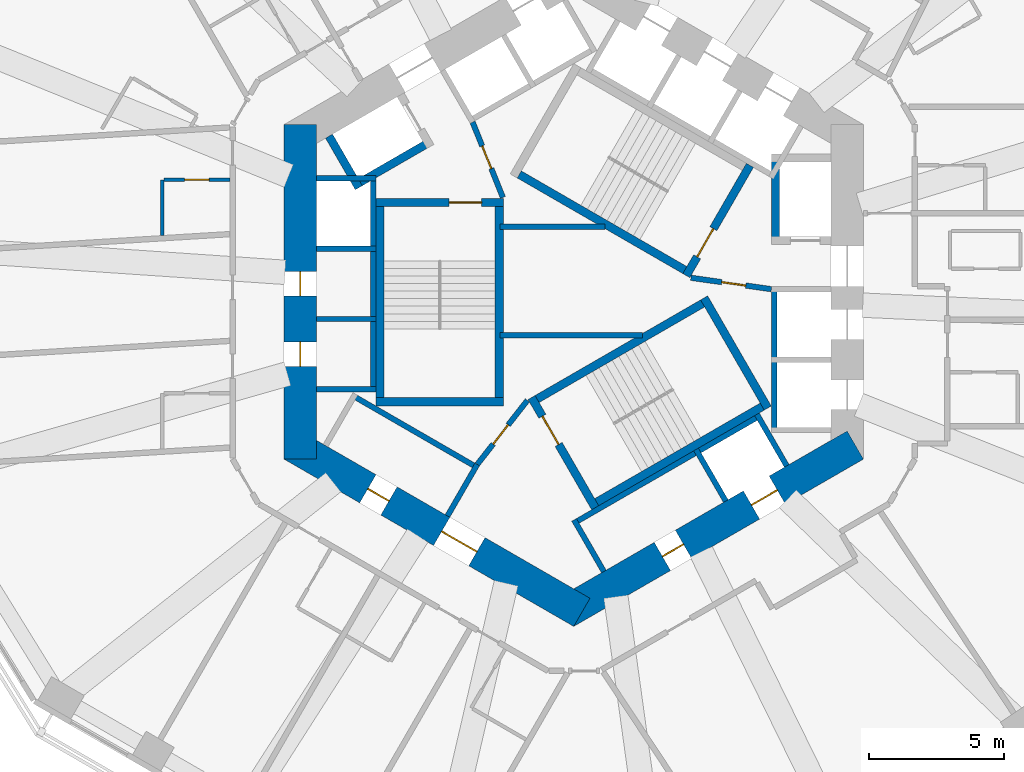
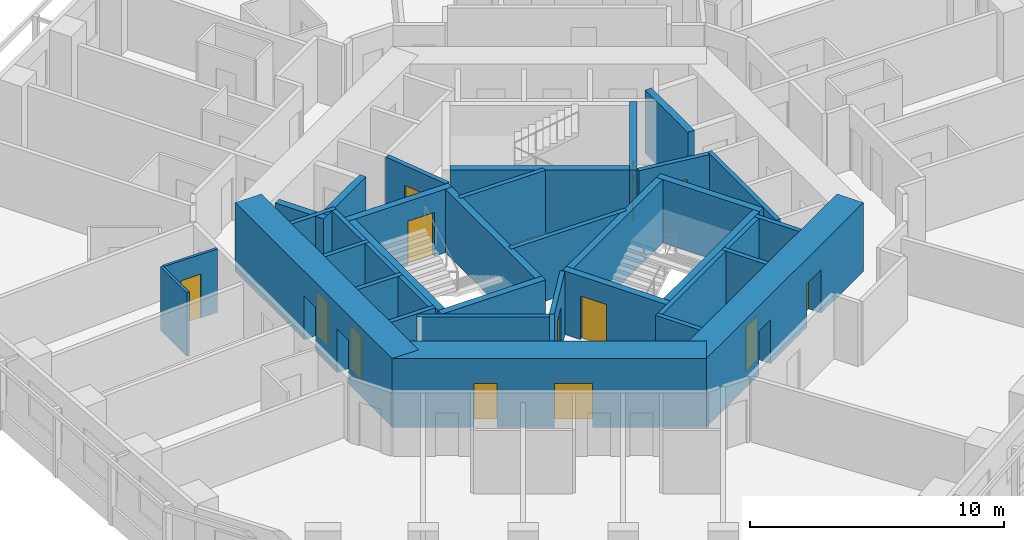
# One storey, part 5 of 12: 35 walls, 13 doors, 13 openings.
"""IFC4 building model written with IfcOpenShell, lengths in metres."""

import ifcopenshell
import ifcopenshell.guid

model = None  # the IFC model being written
_history = None  # IfcOwnerHistory: only IFC2X3 demands one
_inside = {}  # id of a spatial element -> (the spatial element, [elements in it])
_under = {}  # id of a project, library or spatial element -> (it, [spatial elements below it])
_declared = {}  # id of a project -> (the project, [libraries it declares])
_typed = {}  # id of a type object -> (the type object, [elements of that type])
_made_of = {}  # id of a material, layer set ... -> (it, [elements and type objects made of it])


def new_model(schema):
    """Start an empty IFC model of exactly this schema.

    Asked for "IFC4X3", IfcOpenShell would pick the latest addendum, in which some entities
    have other attributes; the version numbers below select the first issue.
    IFC2X3 requires an IfcOwnerHistory on every rooted entity: one is made here for all.
    """
    global model, _history
    if schema == "IFC4X3":
        model = ifcopenshell.file(schema_version=(4, 3, 0, 0))
    else:
        model = ifcopenshell.file(schema=schema)
    _inside.clear()
    _under.clear()
    _declared.clear()
    _typed.clear()
    _made_of.clear()
    _history = None
    if model.schema == "IFC2X3":
        org = make("IfcOrganization", Name="unknown")
        user = make(
            "IfcPersonAndOrganization",
            ThePerson=make("IfcPerson", FamilyName="unknown"),
            TheOrganization=org,
        )
        app = make(
            "IfcApplication",
            ApplicationDeveloper=org,
            Version="unknown",
            ApplicationFullName="unknown",
            ApplicationIdentifier="unknown",
        )
        _history = make(
            "IfcOwnerHistory",
            OwningUser=user,
            OwningApplication=app,
            ChangeAction="ADDED",
            CreationDate=0,
        )
    return model


def make(cls, **values):
    """One entity of the class cls with the attributes given. An attribute that is None is left unset."""
    return model.create_entity(
        cls, **{name: value for name, value in values.items() if value is not None}
    )


def rooted(cls, **values):
    """An entity with a GlobalId (a new one), such as an element, a storey or a relation."""
    return make(cls, GlobalId=ifcopenshell.guid.new(), OwnerHistory=_history, **values)


def si_unit(unit_type, name, prefix=None):
    """IfcSIUnit, for example si_unit("LENGTHUNIT", "METRE", prefix="MILLI")."""
    return make("IfcSIUnit", UnitType=unit_type, Prefix=prefix, Name=name)


def assignment(units):
    """IfcUnitAssignment: the units of a project."""
    return None if units is None else make("IfcUnitAssignment", Units=units)


def point(xyz):
    """IfcCartesianPoint."""
    return None if xyz is None else make("IfcCartesianPoint", Coordinates=xyz)


def direction(xyz):
    """IfcDirection."""
    return None if xyz is None else make("IfcDirection", DirectionRatios=xyz)


def frame(location, z_axis=None, x_axis=None):
    """IfcAxis2Placement3D, a coordinate frame: its origin and axes. An axis left out is left unset."""
    return make(
        "IfcAxis2Placement3D",
        Location=point(location),
        Axis=direction(z_axis),
        RefDirection=direction(x_axis),
    )


def frame_2d(location, x_axis=None):
    """IfcAxis2Placement2D, a coordinate frame in the plane: its origin and x axis."""
    return make(
        "IfcAxis2Placement2D", Location=point(location), RefDirection=direction(x_axis)
    )


def origin():
    """The frame at (0, 0, 0) with its axes left unset."""
    return frame((0.0, 0.0, 0.0))


def place(relative_to, where):
    """IfcLocalPlacement: puts the frame where relative to a parent placement (None: the world)."""
    return make(
        "IfcLocalPlacement", PlacementRelTo=relative_to, RelativePlacement=where
    )


def context(
    kind, dimensions, precision=None, world=None, true_north=None, identifier=None
):
    """IfcGeometricRepresentationContext, for example the 3D "Model" context."""
    return make(
        "IfcGeometricRepresentationContext",
        ContextIdentifier=identifier,
        ContextType=kind,
        CoordinateSpaceDimension=dimensions,
        Precision=precision,
        WorldCoordinateSystem=world,
        TrueNorth=true_north,
    )


def subcontext(parent, identifier, kind, view, scale=None):
    """IfcGeometricRepresentationSubContext, for example "Body" below "Model"."""
    return make(
        "IfcGeometricRepresentationSubContext",
        ContextIdentifier=identifier,
        ContextType=kind,
        ParentContext=parent,
        TargetScale=scale,
        TargetView=view,
    )


def project(units=None, contexts=None):
    """IfcProject with its units and contexts."""
    return rooted(
        "IfcProject",
        Name="project",
        RepresentationContexts=contexts,
        UnitsInContext=assignment(units),
    )


def spatial(cls, under=None, at=None, **own):
    """A site, building, storey or space (cls), placed at a placement, below another one or the project."""
    s = rooted(cls, ObjectPlacement=at, **own)
    if under is not None:
        _under.setdefault(under.id(), (under, []))[1].append(s)
    return s


def profile(cls, at=None, kind="AREA", **sizes):
    """A parametric profile (cls). Its sizes go by their IFC names, for example OverallWidth=200.0."""
    return make(cls, ProfileType=kind, Position=at, **sizes)


def rectangle(**sizes):
    """IfcRectangleProfileDef."""
    return profile("IfcRectangleProfileDef", **sizes)


def extrude(swept, where, along, depth):
    """IfcExtrudedAreaSolid: the profile swept, set in the frame where, extruded along a direction by depth."""
    return make(
        "IfcExtrudedAreaSolid",
        SweptArea=swept,
        Position=where,
        ExtrudedDirection=direction(along),
        Depth=depth,
    )


def shape(context_of_items, identifier, shape_type, items):
    """IfcShapeRepresentation: the items that make up one representation, for example the "Body"."""
    return make(
        "IfcShapeRepresentation",
        ContextOfItems=context_of_items,
        RepresentationIdentifier=identifier,
        RepresentationType=shape_type,
        Items=items,
    )


def material(Name=None, Category=None):
    """IfcMaterial."""
    return make("IfcMaterial", Name=Name, Category=Category)


def layer(
    of_material, thickness, ventilated=None, Name=None, Category=None, Priority=None
):
    """IfcMaterialLayer: one layer of a wall or slab, of a material (None: an air gap)."""
    return make(
        "IfcMaterialLayer",
        Material=of_material,
        LayerThickness=thickness,
        IsVentilated=ventilated,
        Name=Name,
        Category=Category,
        Priority=Priority,
    )


def layer_set(layers, Name=None):
    """IfcMaterialLayerSet."""
    return make("IfcMaterialLayerSet", MaterialLayers=layers, LayerSetName=Name)


def made_of(thing, what):
    """Note that an element or type object is made of a material, layer set ...; save() writes the relation."""
    if what is not None:
        _made_of.setdefault(what.id(), (what, []))[1].append(thing)
    return thing


def type_object(cls, material=None, **own):
    """A type object (cls), such as IfcWallType, which elements share."""
    return made_of(rooted(cls, **own), material)


def element(
    cls,
    number,
    at=None,
    inside=None,
    cuts=None,
    type_object=None,
    material=None,
    context=None,
    identifier="Body",
    shape_type=None,
    held_by="IfcProductDefinitionShape",
    body=None,
    shapes=None,
    **own,
):
    """One element of the class cls, such as IfcWall. Its Tag is "e" and its number.

    at: its placement. inside: the storey or other place that contains it. cuts: it is an
    opening in that element (IfcRelVoidsElement). A single representation is given by context,
    identifier, shape_type and body (its items); several are given by shapes. held_by: the class
    of the entity that holds the representations. save() writes the other relations.
    """
    e = rooted(cls, Tag="e%d" % number, ObjectPlacement=at, **own)
    if body is not None:
        shapes = [shape(context, identifier, shape_type, body)]
    if shapes is not None:
        e.Representation = make(held_by, Representations=shapes)
    if inside is not None:
        _inside.setdefault(inside.id(), (inside, []))[1].append(e)
    if cuts is not None:
        rooted(
            "IfcRelVoidsElement", RelatingBuildingElement=cuts, RelatedOpeningElement=e
        )
    if type_object is not None:
        _typed.setdefault(type_object.id(), (type_object, []))[1].append(e)
    return made_of(e, material)


def fill(opening, filler):
    """IfcRelFillsElement: the door or window that sits in an opening."""
    return rooted(
        "IfcRelFillsElement",
        RelatingOpeningElement=opening,
        RelatedBuildingElement=filler,
    )


def aggregate(whole, parts):
    """IfcRelAggregates: a whole, such as a stair, and the parts it consists of."""
    return rooted("IfcRelAggregates", RelatingObject=whole, RelatedObjects=parts)


def save(model, path):
    """Write the relations noted so far, then the file.

    IfcRelAggregates (storeys below a building ...), IfcRelContainedInSpatialStructure (elements
    in a storey), IfcRelDefinesByType, IfcRelAssociatesMaterial and IfcRelDeclares: one each for
    every whole, place, type object, material and project.
    """
    for whole, parts in _under.values():
        aggregate(whole, parts)
    for where, things in _inside.values():
        rooted(
            "IfcRelContainedInSpatialStructure",
            RelatedElements=things,
            RelatingStructure=where,
        )
    for kind, things in _typed.values():
        rooted("IfcRelDefinesByType", RelatedObjects=things, RelatingType=kind)
    for what, things in _made_of.values():
        rooted("IfcRelAssociatesMaterial", RelatedObjects=things, RelatingMaterial=what)
    for by, libraries in _declared.values():
        rooted("IfcRelDeclares", RelatingContext=by, RelatedDefinitions=libraries)
    model.write(path)


model = new_model("IFC4")

# Units and contexts
model_context = context("Model", 3, precision=1e-05, world=origin(), true_north=direction((0.0, 1.0)))
body_context = subcontext(model_context, "Body", "Model", "MODEL_VIEW")
ifc_project = project(units=[si_unit("LENGTHUNIT", "METRE"), si_unit("AREAUNIT", "SQUARE_METRE"), si_unit("VOLUMEUNIT", "CUBIC_METRE"), si_unit("PLANEANGLEUNIT", "RADIAN"), si_unit("MASSUNIT", "GRAM", prefix="KILO")], contexts=[model_context])

# Site, building, storey
site_placement = place(None, origin())
site = spatial("IfcSite", under=ifc_project, at=site_placement, CompositionType="ELEMENT")
building_placement = place(site_placement, origin())
building = spatial("IfcBuilding", under=site, at=building_placement, Name="Vanh Sen Convention Tower", CompositionType="ELEMENT")
storey_placement = place(building_placement, frame((0.0, 0.0, 90.199951171875)))
storey = spatial("IfcBuildingStorey", under=building, at=storey_placement, Name="L20", CompositionType="ELEMENT", Elevation=90.199951171875)

# Wall
ifc_material_1 = material(Name="Moisture-resistant gypsum board on steel studs", Category="steel")
ifc_layer_1 = layer(ifc_material_1, 0.1201171875)
ifc_layer_set_1 = layer_set([ifc_layer_1], Name="Moisture-resistant gypsum board on steel studs")
wall_type_1 = type_object("IfcWallType", Name="Bathroom partition 120", PredefinedType="PARTITIONING", material=ifc_layer_set_1)
wall_1_placement = place(storey_placement, frame((-15.199951171875, 2.080322265625, 0.0), z_axis=(0.0, 0.0, 1.0), x_axis=(0.0, 1.0, 0.0)))
element("IfcWall", 1, at=wall_1_placement, inside=storey, type_object=wall_type_1, Name="Bathroom partition 120", PredefinedType="PARTITIONING", context=body_context, shape_type="SweptSolid", body=[
    extrude(rectangle(XDim=2.05908203125, YDim=0.1201171875, at=frame_2d((1.029541015625, 0.0))), origin(), (0.0, 0.0, 1.0), 3.050048828125),
])

# Wall, opening, door
wall_2_placement = place(storey_placement, frame((-15.139892578125, 4.139404296875, 0.0), z_axis=(0.0, 0.0, 1.0), x_axis=(1.0, 0.0, 0.0)))
wall_2 = element("IfcWall", 2, at=wall_2_placement, inside=storey, type_object=wall_type_1, Name="Bathroom partition 120", PredefinedType="PARTITIONING", context=body_context, shape_type="SweptSolid", body=[
    extrude(rectangle(XDim=2.43994140625, YDim=0.1201171875, at=frame_2d((1.219970703125, 0.0))), origin(), (0.0, 0.0, 1.0), 3.050048828125),
])
opening_1_placement = place(wall_2_placement, frame((0.77001953125, 0.0, 0.0)))
opening_1 = element("IfcOpeningElement", 3, at=opening_1_placement, cuts=wall_2, Name="Opening D19126", PredefinedType="OPENING", context=body_context, shape_type="SweptSolid", body=[
    extrude(rectangle(XDim=0.89990234375, YDim=2.10009765625, at=frame_2d((0.449951171875, 1.050048828125))), frame((0.0, 0.070068359375, 0.0), z_axis=(0.0, -1.0, 0.0), x_axis=(1.0, 0.0, 0.0)), (0.0, 0.0, 1.0), 0.14013671875),
])
ifc_material_2 = material(Name="Laminate door in steel frame", Category="steel")
door_type_1 = type_object("IfcDoorType", Name="En-suite door 900", OperationType="SINGLE_SWING_LEFT", PredefinedType="DOOR", material=ifc_material_2)
door_1_placement = place(opening_1_placement, origin())
door_1 = element("IfcDoor", 4, at=door_1_placement, inside=storey, type_object=door_type_1, Name="En-suite door D19126", OperationType="SINGLE_SWING_LEFT", OverallHeight=2.10009765625, OverallWidth=0.89990234375, PredefinedType="DOOR", context=body_context, shape_type="SweptSolid", body=[
    extrude(rectangle(XDim=0.89990234375, YDim=2.10009765625, at=frame_2d((0.449951171875, 1.050048828125))), frame((0.0, 0.02490234375, 0.0), z_axis=(0.0, -1.0, 0.0), x_axis=(1.0, 0.0, 0.0)), (0.0, 0.0, 1.0), 0.050048828125),
])
fill(opening_1, door_1)

# Wall, openings, doors
ifc_material_3 = material(Name="Concrete C80/95", Category="concrete")
ifc_layer_2 = layer(ifc_material_3, 1.199951171875)
ifc_layer_set_2 = layer_set([ifc_layer_2], Name="Concrete C80/95")
wall_type_2 = type_object("IfcWallType", Name="Core outer wall 1200 C80/95", PredefinedType="SHEAR", material=ifc_layer_set_2)
wall_3_placement = place(storey_placement, frame((-10.10009765625, 6.177490234375, 0.0), z_axis=(0.0, 0.0, 1.0), x_axis=(0.0, -1.0, 0.0)))
wall_3 = element("IfcWall", 5, at=wall_3_placement, inside=storey, type_object=wall_type_2, Name="Core wall face W L20", PredefinedType="SHEAR", context=body_context, shape_type="SweptSolid", body=[
    extrude(rectangle(XDim=12.35498046875, YDim=1.199951171875, at=frame_2d((6.177490234375, 0.0))), origin(), (0.0, 0.0, 1.0), 3.300048828125),
])
opening_2_placement = place(wall_3_placement, frame((5.427490234375, 0.0, 0.0)))
opening_2 = element("IfcOpeningElement", 6, at=opening_2_placement, cuts=wall_3, Name="Opening D19010", PredefinedType="OPENING", context=body_context, shape_type="SweptSolid", body=[
    extrude(rectangle(XDim=0.89990234375, YDim=2.10009765625, at=frame_2d((0.449951171875, 1.050048828125))), frame((0.0, 0.60986328125, 0.0), z_axis=(0.0, -1.0, 0.0), x_axis=(1.0, 0.0, 0.0)), (0.0, 0.0, 1.0), 1.219970703125),
])
opening_3_placement = place(wall_3_placement, frame((8.027587890625, 0.0, 0.0)))
opening_3 = element("IfcOpeningElement", 7, at=opening_3_placement, cuts=wall_3, Name="Opening D19011", PredefinedType="OPENING", context=body_context, shape_type="SweptSolid", body=[
    extrude(rectangle(XDim=0.89990234375, YDim=2.10009765625, at=frame_2d((0.449951171875, 1.050048828125))), frame((0.0, 0.60986328125, 0.0), z_axis=(0.0, -1.0, 0.0), x_axis=(1.0, 0.0, 0.0)), (0.0, 0.0, 1.0), 1.219970703125),
])
ifc_material_4 = material(Name="Steel S355", Category="steel")
door_type_2 = type_object("IfcDoorType", Name="Plant door 900", OperationType="SINGLE_SWING_LEFT", PredefinedType="DOOR", material=ifc_material_4)
door_2_placement = place(opening_2_placement, origin())
door_2 = element("IfcDoor", 8, at=door_2_placement, inside=storey, type_object=door_type_2, Name="Plant door D19010", OperationType="SINGLE_SWING_LEFT", OverallHeight=2.10009765625, OverallWidth=0.89990234375, PredefinedType="DOOR", context=body_context, shape_type="SweptSolid", body=[
    extrude(rectangle(XDim=0.89990234375, YDim=2.10009765625, at=frame_2d((0.449951171875, 1.050048828125))), frame((0.0, 0.02490234375, 0.0), z_axis=(0.0, -1.0, 0.0), x_axis=(1.0, 0.0, 0.0)), (0.0, 0.0, 1.0), 0.050048828125),
])
fill(opening_2, door_2)
door_3_placement = place(opening_3_placement, origin())
door_3 = element("IfcDoor", 9, at=door_3_placement, inside=storey, type_object=door_type_2, Name="Plant door D19011", OperationType="SINGLE_SWING_LEFT", OverallHeight=2.10009765625, OverallWidth=0.89990234375, PredefinedType="DOOR", context=body_context, shape_type="SweptSolid", body=[
    extrude(rectangle(XDim=0.89990234375, YDim=2.10009765625, at=frame_2d((0.449951171875, 1.050048828125))), frame((0.0, 0.02490234375, 0.0), z_axis=(0.0, -1.0, 0.0), x_axis=(1.0, 0.0, 0.0)), (0.0, 0.0, 1.0), 0.050048828125),
])
fill(opening_3, door_3)

wall_4_placement = place(storey_placement, frame((-10.39990234375, -5.657958984375, 0.0), z_axis=(0.0, 0.0, 1.0), x_axis=(0.866021384402, -0.500006961711, 0.0)))
wall_4 = element("IfcWall", 10, at=wall_4_placement, inside=storey, type_object=wall_type_2, Name="Core wall face SW L20", PredefinedType="SHEAR", context=body_context, shape_type="SweptSolid", body=[
    extrude(rectangle(XDim=12.355224609375, YDim=1.199951171875, at=frame_2d((6.177734375, 0.0))), origin(), (0.0, 0.0, 1.0), 3.300048828125),
])
opening_4_placement = place(wall_4_placement, frame((6.377685546875, 0.0, 0.0)))
opening_4 = element("IfcOpeningElement", 11, at=opening_4_placement, cuts=wall_4, Name="Opening D19003", PredefinedType="OPENING", context=body_context, shape_type="SweptSolid", body=[
    extrude(rectangle(XDim=1.5, YDim=2.10009765625, at=frame_2d((0.75, 1.050048828125))), frame((0.0, 0.60986328125, 0.0), z_axis=(0.0, -1.0, 0.0), x_axis=(1.0, 0.0, 0.0)), (0.0, 0.0, 1.0), 1.219970703125),
])
opening_5_placement = place(wall_4_placement, frame((3.227783203125, 0.0, 0.0)))
opening_5 = element("IfcOpeningElement", 12, at=opening_5_placement, cuts=wall_4, Name="Opening D19012", PredefinedType="OPENING", context=body_context, shape_type="SweptSolid", body=[
    extrude(rectangle(XDim=0.89990234375, YDim=2.10009765625, at=frame_2d((0.449951171875, 1.050048828125))), frame((0.0, 0.60986328125, 0.0), z_axis=(0.0, -1.0, 0.0), x_axis=(1.0, 0.0, 0.0)), (0.0, 0.0, 1.0), 1.219970703125),
])
door_4_placement = place(opening_5_placement, origin())
door_4 = element("IfcDoor", 13, at=door_4_placement, inside=storey, type_object=door_type_2, Name="Plant door D19012", OperationType="SINGLE_SWING_LEFT", OverallHeight=2.10009765625, OverallWidth=0.89990234375, PredefinedType="DOOR", context=body_context, shape_type="SweptSolid", body=[
    extrude(rectangle(XDim=0.89990234375, YDim=2.10009765625, at=frame_2d((0.449951171875, 1.050048828125))), frame((0.0, 0.02490234375, 0.0), z_axis=(0.0, -1.0, 0.0), x_axis=(1.0, 0.0, 0.0)), (0.0, 0.0, 1.0), 0.050048828125),
])
fill(opening_5, door_4)
door_type_3 = type_object("IfcDoorType", Name="Stair lobby door 1500", OperationType="DOUBLE_DOOR_SINGLE_SWING", PredefinedType="DOOR", material=ifc_material_4)
door_5_placement = place(opening_4_placement, origin())
door_5 = element("IfcDoor", 14, at=door_5_placement, inside=storey, type_object=door_type_3, Name="Stair lobby door D19003", OperationType="DOUBLE_DOOR_SINGLE_SWING", OverallHeight=2.10009765625, OverallWidth=1.5, PredefinedType="DOOR", context=body_context, shape_type="SweptSolid", body=[
    extrude(rectangle(XDim=1.5, YDim=2.10009765625, at=frame_2d((0.75, 1.050048828125))), frame((0.0, 0.02490234375, 0.0), z_axis=(0.0, -1.0, 0.0), x_axis=(1.0, 0.0, 0.0)), (0.0, 0.0, 1.0), 0.050048828125),
])
fill(opening_4, door_5)

wall_5_placement = place(storey_placement, frame((-0.300048828125, -11.835693359375, 0.0), z_axis=(0.0, 0.0, 1.0), x_axis=(0.866021384402, 0.500006961711, 0.0)))
wall_5 = element("IfcWall", 15, at=wall_5_placement, inside=storey, type_object=wall_type_2, Name="Core wall face SE L20", PredefinedType="SHEAR", context=body_context, shape_type="SweptSolid", body=[
    extrude(rectangle(XDim=12.355224609375, YDim=1.199951171875, at=frame_2d((6.177734375, 0.0))), origin(), (0.0, 0.0, 1.0), 3.300048828125),
])
opening_6_placement = place(wall_5_placement, frame((4.127685546875, 0.0, 0.0)))
opening_6 = element("IfcOpeningElement", 16, at=opening_6_placement, cuts=wall_5, Name="Opening D19013", PredefinedType="OPENING", context=body_context, shape_type="SweptSolid", body=[
    extrude(rectangle(XDim=0.89990234375, YDim=2.10009765625, at=frame_2d((0.449951171875, 1.050048828125))), frame((0.0, 0.60986328125, 0.0), z_axis=(0.0, -1.0, 0.0), x_axis=(1.0, 0.0, 0.0)), (0.0, 0.0, 1.0), 1.219970703125),
])
opening_7_placement = place(wall_5_placement, frame((7.927734375, 0.0, 0.0)))
opening_7 = element("IfcOpeningElement", 17, at=opening_7_placement, cuts=wall_5, Name="Opening LD-SV1", PredefinedType="OPENING", context=body_context, shape_type="SweptSolid", body=[
    extrude(rectangle(XDim=1.10009765625, YDim=2.10009765625, at=frame_2d((0.550048828125, 1.050048828125))), frame((0.0, 0.60986328125, 0.0), z_axis=(0.0, -1.0, 0.0), x_axis=(1.0, 0.0, 0.0)), (0.0, 0.0, 1.0), 1.219970703125),
])
ifc_material_5 = material(Name="Stainless steel", Category="steel")
door_type_4 = type_object("IfcDoorType", Name="Lift landing door 1100", OperationType="DOUBLE_DOOR_SLIDING", PredefinedType="DOOR", material=ifc_material_5)
door_6_placement = place(opening_7_placement, origin())
door_6 = element("IfcDoor", 18, at=door_6_placement, inside=storey, type_object=door_type_4, Name="Lift SV1 landing door LD-SV1", OperationType="DOUBLE_DOOR_SLIDING", OverallHeight=2.10009765625, OverallWidth=1.10009765625, PredefinedType="DOOR", context=body_context, shape_type="SweptSolid", body=[
    extrude(rectangle(XDim=1.10009765625, YDim=2.10009765625, at=frame_2d((0.550048828125, 1.050048828125))), frame((0.0, 0.02490234375, 0.0), z_axis=(0.0, -1.0, 0.0), x_axis=(1.0, 0.0, 0.0)), (0.0, 0.0, 1.0), 0.050048828125),
])
fill(opening_7, door_6)
door_7_placement = place(opening_6_placement, origin())
door_7 = element("IfcDoor", 19, at=door_7_placement, inside=storey, type_object=door_type_2, Name="Plant door D19013", OperationType="SINGLE_SWING_LEFT", OverallHeight=2.10009765625, OverallWidth=0.89990234375, PredefinedType="DOOR", context=body_context, shape_type="SweptSolid", body=[
    extrude(rectangle(XDim=0.89990234375, YDim=2.10009765625, at=frame_2d((0.449951171875, 1.050048828125))), frame((0.0, 0.02490234375, 0.0), z_axis=(0.0, -1.0, 0.0), x_axis=(1.0, 0.0, 0.0)), (0.0, 0.0, 1.0), 0.050048828125),
])
fill(opening_6, door_7)

# Walls
ifc_material_6 = material(Name="Masonry blockwork", Category="masonry")
ifc_layer_3 = layer(ifc_material_6, 0.199951171875)
ifc_layer_set_3 = layer_set([ifc_layer_3], Name="Masonry blockwork")
wall_type_3 = type_object("IfcWallType", Name="Core partition 200", PredefinedType="PARTITIONING", material=ifc_layer_set_3)
wall_6_placement = place(storey_placement, frame((-2.719970703125, -1.60009765625, 0.0), z_axis=(0.0, 0.0, 1.0), x_axis=(1.0, 0.0, 0.0)))
element("IfcWall", 20, at=wall_6_placement, inside=storey, type_object=wall_type_3, Name="Core partition L20", PredefinedType="PARTITIONING", context=body_context, shape_type="SweptSolid", body=[
    extrude(rectangle(XDim=5.2685546875, YDim=0.199951171875, at=frame_2d((2.63427734375, 0.0))), origin(), (0.0, 0.0, 1.0), 3.050048828125),
])
wall_7_placement = place(storey_placement, frame((-2.719970703125, 2.39990234375, 0.0), z_axis=(0.0, 0.0, 1.0), x_axis=(1.0, 0.0, 0.0)))
element("IfcWall", 21, at=wall_7_placement, inside=storey, type_object=wall_type_3, Name="Core partition L20", PredefinedType="PARTITIONING", context=body_context, shape_type="SweptSolid", body=[
    extrude(rectangle(XDim=3.883056640625, YDim=0.199951171875, at=frame_2d((1.94140625, 0.0))), origin(), (0.0, 0.0, 1.0), 3.050048828125),
])
ifc_material_7 = material(Name="Concrete C60/75", Category="concrete")
ifc_layer_4 = layer(ifc_material_7, 0.300048828125)
ifc_layer_set_4 = layer_set([ifc_layer_4], Name="Concrete C60/75")
wall_type_4 = type_object("IfcWallType", Name="Fire-fighting lift shaft wall 300", PredefinedType="SHEAR", material=ifc_layer_set_4)
wall_8_placement = place(storey_placement, frame((7.449951171875, 1.75, 0.0), z_axis=(0.0, 0.0, 1.0), x_axis=(0.0, 1.0, 0.0)))
element("IfcWall", 22, at=wall_8_placement, inside=storey, type_object=wall_type_4, Name="Fire-fighting lift shaft wall L20", PredefinedType="SHEAR", context=body_context, shape_type="SweptSolid", body=[
    extrude(rectangle(XDim=3.35009765625, YDim=0.300048828125, at=frame_2d((1.675048828125, 0.0))), origin(), (0.0, 0.0, 1.0), 3.050048828125),
])
wall_9_placement = place(storey_placement, frame((-5.240478515625, 5.576904296875, 0.0), z_axis=(0.0, 0.0, 1.0), x_axis=(-0.866014461049, -0.500018952895, 0.0)))
element("IfcWall", 23, at=wall_9_placement, inside=storey, type_object=wall_type_4, Name="Fire-fighting lift shaft wall L20", PredefinedType="SHEAR", context=body_context, shape_type="SweptSolid", body=[
    extrude(rectangle(XDim=3.349853515625, YDim=0.300048828125, at=frame_2d((1.6748046875, 0.0))), origin(), (0.0, 0.0, 1.0), 3.050048828125),
])
wall_10_placement = place(storey_placement, frame((-7.936767578125, 3.846923828125, 0.0), z_axis=(0.0, 0.0, 1.0), x_axis=(-0.50002983664, 0.866008176907, 0.0)))
element("IfcWall", 24, at=wall_10_placement, inside=storey, type_object=wall_type_4, Name="Fire-fighting lift shaft wall L20", PredefinedType="SHEAR", context=body_context, shape_type="SweptSolid", body=[
    extrude(rectangle(XDim=2.199951171875, YDim=0.300048828125, at=frame_2d((1.10009765625, 0.0))), origin(), (0.0, 0.0, 1.0), 3.050048828125),
])
ifc_material_8 = material(Name="Concrete C40/50", Category="concrete")
ifc_layer_5 = layer(ifc_material_8, 0.199951171875)
ifc_layer_set_5 = layer_set([ifc_layer_5], Name="Concrete C40/50")
wall_type_5 = type_object("IfcWallType", Name="Lift shaft wall 200", PredefinedType="PARTITIONING", material=ifc_layer_set_5)
wall_11_placement = place(storey_placement, frame((7.39990234375, -5.199951171875, 0.0), z_axis=(0.0, 0.0, 1.0), x_axis=(0.0, 1.0, 0.0)))
element("IfcWall", 25, at=wall_11_placement, inside=storey, type_object=wall_type_5, Name="Lift shaft wall L20", PredefinedType="PARTITIONING", context=body_context, shape_type="SweptSolid", body=[
    extrude(rectangle(XDim=5.39990234375, YDim=0.199951171875, at=frame_2d((2.699951171875, 0.0))), origin(), (0.0, 0.0, 1.0), 3.050048828125),
])
wall_12_placement = place(storey_placement, frame((-7.39990234375, 4.300048828125, 0.0), z_axis=(0.0, 0.0, 1.0), x_axis=(0.0, -1.0, 0.0)))
element("IfcWall", 26, at=wall_12_placement, inside=storey, type_object=wall_type_5, Name="Lift shaft wall L20", PredefinedType="PARTITIONING", context=body_context, shape_type="SweptSolid", body=[
    extrude(rectangle(XDim=8.0, YDim=0.199951171875, at=frame_2d((4.0, 0.0))), origin(), (0.0, 0.0, 1.0), 3.050048828125),
])
for number, where, z_axis, x_axis, name in (
    (27, (-7.300048828125, 4.199951171875, 0.0), (0.0, 0.0, 1.0), (-1.0, 0.0, 0.0), "Lift shaft wall L20"),
    (28, (-7.300048828125, 1.60009765625, 0.0), (0.0, 0.0, 1.0), (-1.0, 0.0, 0.0), "Lift shaft wall L20"),
    (29, (-7.300048828125, -1.0, 0.0), (0.0, 0.0, 1.0), (-1.0, 0.0, 0.0), "Lift shaft wall L20"),
    (30, (-7.300048828125, -3.60009765625, 0.0), (0.0, 0.0, 1.0), (-1.0, 0.0, 0.0), "Lift shaft wall L20"),
):
    element("IfcWall", number, at=place(storey_placement, frame(where, z_axis=z_axis, x_axis=x_axis)), inside=storey, type_object=wall_type_5, Name=name, PredefinedType="PARTITIONING", context=body_context, shape_type="SweptSolid", body=[
        extrude(rectangle(XDim=2.199951171875, YDim=0.199951171875, at=frame_2d((1.10009765625, 0.0))), origin(), (0.0, 0.0, 1.0), 3.050048828125),
    ])
wall_13_placement = place(storey_placement, frame((-8.203369140625, -3.80859375, 0.0), z_axis=(0.0, 0.0, 1.0), x_axis=(0.866028230842, -0.499995103361, 0.0)))
element("IfcWall", 31, at=wall_13_placement, inside=storey, type_object=wall_type_5, Name="Lift shaft wall L20", PredefinedType="PARTITIONING", context=body_context, shape_type="SweptSolid", body=[
    extrude(rectangle(XDim=5.39990234375, YDim=0.199951171875, at=frame_2d((2.699951171875, 0.0))), origin(), (0.0, 0.0, 1.0), 3.050048828125),
])
wall_14_placement = place(storey_placement, frame((-3.5634765625, -6.3720703125, 0.0), z_axis=(0.0, 0.0, 1.0), x_axis=(-0.499994660107, -0.866028486751, 0.0)))
element("IfcWall", 32, at=wall_14_placement, inside=storey, type_object=wall_type_5, Name="Lift shaft wall L20", PredefinedType="PARTITIONING", context=body_context, shape_type="SweptSolid", body=[
    extrude(rectangle(XDim=2.19970703125, YDim=0.199951171875, at=frame_2d((1.099853515625, 0.0))), origin(), (0.0, 0.0, 1.0), 3.050048828125),
])
wall_15_placement = place(storey_placement, frame((-0.02392578125, -8.55859375, 0.0), z_axis=(0.0, 0.0, 1.0), x_axis=(0.866026010844, 0.49999894854, 0.0)))
element("IfcWall", 33, at=wall_15_placement, inside=storey, type_object=wall_type_5, Name="Lift shaft wall L20", PredefinedType="PARTITIONING", context=body_context, shape_type="SweptSolid", body=[
    extrude(rectangle(XDim=8.0, YDim=0.199951171875, at=frame_2d((4.0, 0.0))), origin(), (0.0, 0.0, 1.0), 3.050048828125),
])
for number, where, z_axis, x_axis, name in (
    (34, (0.0126953125, -8.422119140625, 0.0), (0.0, 0.0, 1.0), (0.500077893725, -0.86598042715, 0.0), "Lift shaft wall L20"),
    (35, (4.51611328125, -5.822021484375, 0.0), (0.0, 0.0, 1.0), (0.499946605688, -0.86605622881, 0.0), "Lift shaft wall L20"),
    (36, (6.767578125, -4.52197265625, 0.0), (0.0, 0.0, 1.0), (0.50002983664, -0.866008176907, 0.0), "Lift shaft wall L20"),
):
    element("IfcWall", number, at=place(storey_placement, frame(where, z_axis=z_axis, x_axis=x_axis)), inside=storey, type_object=wall_type_5, Name=name, PredefinedType="PARTITIONING", context=body_context, shape_type="SweptSolid", body=[
        extrude(rectangle(XDim=2.199951171875, YDim=0.199951171875, at=frame_2d((1.10009765625, 0.0))), origin(), (0.0, 0.0, 1.0), 3.050048828125),
    ])

# Wall, opening, door
ifc_layer_6 = layer(ifc_material_8, 0.199951171875)
ifc_layer_set_6 = layer_set([ifc_layer_6], Name="Concrete C40/50")
wall_type_6 = type_object("IfcWallType", Name="Stair lobby wall 200", PredefinedType="PARTITIONING", material=ifc_layer_set_6)
wall_16_placement = place(storey_placement, frame((4.327392578125, 0.52099609375, 0.0), z_axis=(0.0, 0.0, 1.0), x_axis=(0.990124376366, -0.14019172346, 0.0)))
wall_16 = element("IfcWall", 37, at=wall_16_placement, inside=storey, type_object=wall_type_6, Name="Stair lobby wall L20", PredefinedType="PARTITIONING", context=body_context, shape_type="SweptSolid", body=[
    extrude(rectangle(XDim=3.002197265625, YDim=0.199951171875, at=frame_2d((1.5009765625, 0.0))), origin(), (0.0, 0.0, 1.0), 3.050048828125),
])
opening_8_placement = place(wall_16_placement, frame((1.14990234375, 0.0, 0.0)))
opening_8 = element("IfcOpeningElement", 38, at=opening_8_placement, cuts=wall_16, Name="Opening D19007", PredefinedType="OPENING", context=body_context, shape_type="SweptSolid", body=[
    extrude(rectangle(XDim=0.89990234375, YDim=2.10009765625, at=frame_2d((0.449951171875, 1.050048828125))), frame((0.0, 0.10986328125, 0.0), z_axis=(0.0, -1.0, 0.0), x_axis=(1.0, 0.0, 0.0)), (0.0, 0.0, 1.0), 0.219970703125),
])
door_8_placement = place(opening_8_placement, origin())
door_8 = element("IfcDoor", 39, at=door_8_placement, inside=storey, type_object=door_type_2, Name="Plant door D19007", OperationType="SINGLE_SWING_LEFT", OverallHeight=2.10009765625, OverallWidth=0.89990234375, PredefinedType="DOOR", context=body_context, shape_type="SweptSolid", body=[
    extrude(rectangle(XDim=0.89990234375, YDim=2.10009765625, at=frame_2d((0.449951171875, 1.050048828125))), frame((0.0, 0.02490234375, 0.0), z_axis=(0.0, -1.0, 0.0), x_axis=(1.0, 0.0, 0.0)), (0.0, 0.0, 1.0), 0.050048828125),
])
fill(opening_8, door_8)

wall_17_placement = place(storey_placement, frame((-2.614990234375, 3.487060546875, 0.0), z_axis=(0.0, 0.0, 1.0), x_axis=(-0.373576831041, 0.92759924068, 0.0)))
wall_17 = element("IfcWall", 40, at=wall_17_placement, inside=storey, type_object=wall_type_6, Name="Stair lobby wall L20", PredefinedType="PARTITIONING", context=body_context, shape_type="SweptSolid", body=[
    extrude(rectangle(XDim=3.002197265625, YDim=0.199951171875, at=frame_2d((1.5009765625, 0.0))), origin(), (0.0, 0.0, 1.0), 3.050048828125),
])
opening_9_placement = place(wall_17_placement, frame((1.14990234375, 0.0, 0.0)))
opening_9 = element("IfcOpeningElement", 41, at=opening_9_placement, cuts=wall_17, Name="Opening D19008", PredefinedType="OPENING", context=body_context, shape_type="SweptSolid", body=[
    extrude(rectangle(XDim=0.89990234375, YDim=2.10009765625, at=frame_2d((0.449951171875, 1.050048828125))), frame((0.0, 0.10986328125, 0.0), z_axis=(0.0, -1.0, 0.0), x_axis=(1.0, 0.0, 0.0)), (0.0, 0.0, 1.0), 0.219970703125),
])
door_9_placement = place(opening_9_placement, origin())
door_9 = element("IfcDoor", 42, at=door_9_placement, inside=storey, type_object=door_type_2, Name="Plant door D19008", OperationType="SINGLE_SWING_LEFT", OverallHeight=2.10009765625, OverallWidth=0.89990234375, PredefinedType="DOOR", context=body_context, shape_type="SweptSolid", body=[
    extrude(rectangle(XDim=0.89990234375, YDim=2.10009765625, at=frame_2d((0.449951171875, 1.050048828125))), frame((0.0, 0.02490234375, 0.0), z_axis=(0.0, -1.0, 0.0), x_axis=(1.0, 0.0, 0.0)), (0.0, 0.0, 1.0), 0.050048828125),
])
fill(opening_9, door_9)

wall_18_placement = place(storey_placement, frame((-1.71240234375, -4.00830078125, 0.0), z_axis=(0.0, 0.0, 1.0), x_axis=(-0.616549420702, -0.787316208287, 0.0)))
wall_18 = element("IfcWall", 43, at=wall_18_placement, inside=storey, type_object=wall_type_6, Name="Stair lobby wall L20", PredefinedType="PARTITIONING", context=body_context, shape_type="SweptSolid", body=[
    extrude(rectangle(XDim=3.002197265625, YDim=0.199951171875, at=frame_2d((1.5009765625, 0.0))), origin(), (0.0, 0.0, 1.0), 3.050048828125),
])
opening_10_placement = place(wall_18_placement, frame((1.14990234375, 0.0, 0.0)))
opening_10 = element("IfcOpeningElement", 44, at=opening_10_placement, cuts=wall_18, Name="Opening D19009", PredefinedType="OPENING", context=body_context, shape_type="SweptSolid", body=[
    extrude(rectangle(XDim=0.89990234375, YDim=2.10009765625, at=frame_2d((0.449951171875, 1.050048828125))), frame((0.0, 0.10986328125, 0.0), z_axis=(0.0, -1.0, 0.0), x_axis=(1.0, 0.0, 0.0)), (0.0, 0.0, 1.0), 0.219970703125),
])
door_10_placement = place(opening_10_placement, origin())
door_10 = element("IfcDoor", 45, at=door_10_placement, inside=storey, type_object=door_type_2, Name="Plant door D19009", OperationType="SINGLE_SWING_LEFT", OverallHeight=2.10009765625, OverallWidth=0.89990234375, PredefinedType="DOOR", context=body_context, shape_type="SweptSolid", body=[
    extrude(rectangle(XDim=0.89990234375, YDim=2.10009765625, at=frame_2d((0.449951171875, 1.050048828125))), frame((0.0, 0.02490234375, 0.0), z_axis=(0.0, -1.0, 0.0), x_axis=(1.0, 0.0, 0.0)), (0.0, 0.0, 1.0), 0.050048828125),
])
fill(opening_10, door_10)

ifc_layer_7 = layer(ifc_material_7, 0.300048828125)
ifc_layer_set_7 = layer_set([ifc_layer_7], Name="Concrete C60/75")
wall_type_7 = type_object("IfcWallType", Name="Stair wall 300", PredefinedType="SHEAR", material=ifc_layer_set_7)
wall_19_placement = place(storey_placement, frame((4.157958984375, 0.601806640625, 0.0), z_axis=(0.0, 0.0, 1.0), x_axis=(0.499977259774, 0.866038532462, 0.0)))
wall_19 = element("IfcWall", 46, at=wall_19_placement, inside=storey, type_object=wall_type_7, Name="Stair wall L20", PredefinedType="SHEAR", context=body_context, shape_type="SweptSolid", body=[
    extrude(rectangle(XDim=4.699951171875, YDim=0.300048828125, at=frame_2d((2.35009765625, 0.0))), origin(), (0.0, 0.0, 1.0), 3.050048828125),
])
opening_11_placement = place(wall_19_placement, frame((0.800048828125, 0.0, 0.0)))
opening_11 = element("IfcOpeningElement", 47, at=opening_11_placement, cuts=wall_19, Name="Opening D19004", PredefinedType="OPENING", context=body_context, shape_type="SweptSolid", body=[
    extrude(rectangle(XDim=1.199951171875, YDim=2.10009765625, at=frame_2d((0.60009765625, 1.050048828125))), frame((0.0, 0.159912109375, 0.0), z_axis=(0.0, -1.0, 0.0), x_axis=(1.0, 0.0, 0.0)), (0.0, 0.0, 1.0), 0.320068359375),
])
door_type_5 = type_object("IfcDoorType", Name="Stair door 1200", OperationType="SINGLE_SWING_RIGHT", PredefinedType="DOOR", material=ifc_material_4)
door_11_placement = place(opening_11_placement, origin())
door_11 = element("IfcDoor", 48, at=door_11_placement, inside=storey, type_object=door_type_5, Name="Stair ST1 door D19004", OperationType="SINGLE_SWING_RIGHT", OverallHeight=2.10009765625, OverallWidth=1.199951171875, PredefinedType="DOOR", context=body_context, shape_type="SweptSolid", body=[
    extrude(rectangle(XDim=1.199951171875, YDim=2.10009765625, at=frame_2d((0.60009765625, 1.050048828125))), frame((0.0, 0.02490234375, 0.0), z_axis=(0.0, -1.0, 0.0), x_axis=(1.0, 0.0, 0.0)), (0.0, 0.0, 1.0), 0.050048828125),
])
fill(opening_11, door_11)

# Wall
wall_20_placement = place(storey_placement, frame((4.10302734375, 0.806640625, 0.0), z_axis=(0.0, 0.0, 1.0), x_axis=(-0.866027801685, 0.499995846692, 0.0)))
element("IfcWall", 49, at=wall_20_placement, inside=storey, type_object=wall_type_7, Name="Stair wall L20", PredefinedType="SHEAR", context=body_context, shape_type="SweptSolid", body=[
    extrude(rectangle(XDim=7.06005859375, YDim=0.300048828125, at=frame_2d((3.530029296875, 0.0))), origin(), (0.0, 0.0, 1.0), 3.050048828125),
])

# Wall, opening, door
wall_21_placement = place(storey_placement, frame((-2.60009765625, 3.300048828125, 0.0), z_axis=(0.0, 0.0, 1.0), x_axis=(-1.0, 0.0, 0.0)))
wall_21 = element("IfcWall", 50, at=wall_21_placement, inside=storey, type_object=wall_type_7, Name="Stair wall L20", PredefinedType="SHEAR", context=body_context, shape_type="SweptSolid", body=[
    extrude(rectangle(XDim=4.699951171875, YDim=0.300048828125, at=frame_2d((2.35009765625, 0.0))), origin(), (0.0, 0.0, 1.0), 3.050048828125),
])
opening_12_placement = place(wall_21_placement, frame((0.800048828125, 0.0, 0.0)))
opening_12 = element("IfcOpeningElement", 51, at=opening_12_placement, cuts=wall_21, Name="Opening D19005", PredefinedType="OPENING", context=body_context, shape_type="SweptSolid", body=[
    extrude(rectangle(XDim=1.199951171875, YDim=2.10009765625, at=frame_2d((0.60009765625, 1.050048828125))), frame((0.0, 0.159912109375, 0.0), z_axis=(0.0, -1.0, 0.0), x_axis=(1.0, 0.0, 0.0)), (0.0, 0.0, 1.0), 0.320068359375),
])
door_12_placement = place(opening_12_placement, origin())
door_12 = element("IfcDoor", 52, at=door_12_placement, inside=storey, type_object=door_type_5, Name="Stair ST2 door D19005", OperationType="SINGLE_SWING_RIGHT", OverallHeight=2.10009765625, OverallWidth=1.199951171875, PredefinedType="DOOR", context=body_context, shape_type="SweptSolid", body=[
    extrude(rectangle(XDim=1.199951171875, YDim=2.10009765625, at=frame_2d((0.60009765625, 1.050048828125))), frame((0.0, 0.02490234375, 0.0), z_axis=(0.0, -1.0, 0.0), x_axis=(1.0, 0.0, 0.0)), (0.0, 0.0, 1.0), 0.050048828125),
])
fill(opening_12, door_12)

# Walls
wall_22_placement = place(storey_placement, frame((-2.60009765625, -4.06005859375, 0.0), z_axis=(0.0, 0.0, 1.0), x_axis=(-1.0, 0.0, 0.0)))
element("IfcWall", 53, at=wall_22_placement, inside=storey, type_object=wall_type_7, Name="Stair wall L20", PredefinedType="SHEAR", context=body_context, shape_type="SweptSolid", body=[
    extrude(rectangle(XDim=4.699951171875, YDim=0.300048828125, at=frame_2d((2.35009765625, 0.0))), origin(), (0.0, 0.0, 1.0), 3.050048828125),
])
for number, where, z_axis, x_axis, name in (
    (54, (-2.75, 3.14990234375, 0.0), (0.0, 0.0, 1.0), (0.0, -1.0, 0.0), "Stair wall L20"),
    (55, (-7.14990234375, 3.14990234375, 0.0), (0.0, 0.0, 1.0), (0.0, -1.0, 0.0), "Stair wall L20"),
):
    element("IfcWall", number, at=place(storey_placement, frame(where, z_axis=z_axis, x_axis=x_axis)), inside=storey, type_object=wall_type_7, Name=name, PredefinedType="SHEAR", context=body_context, shape_type="SweptSolid", body=[
        extrude(rectangle(XDim=7.059814453125, YDim=0.300048828125, at=frame_2d((3.52978515625, 0.0))), origin(), (0.0, 0.0, 1.0), 3.050048828125),
    ])

# Wall, opening, door
wall_23_placement = place(storey_placement, frame((-1.557861328125, -3.901611328125, 0.0), z_axis=(0.0, 0.0, 1.0), x_axis=(0.499977259774, -0.866038532462, 0.0)))
wall_23 = element("IfcWall", 56, at=wall_23_placement, inside=storey, type_object=wall_type_7, Name="Stair wall L20", PredefinedType="SHEAR", context=body_context, shape_type="SweptSolid", body=[
    extrude(rectangle(XDim=4.699951171875, YDim=0.300048828125, at=frame_2d((2.35009765625, 0.0))), origin(), (0.0, 0.0, 1.0), 3.050048828125),
])
opening_13_placement = place(wall_23_placement, frame((0.800048828125, 0.0, 0.0)))
opening_13 = element("IfcOpeningElement", 57, at=opening_13_placement, cuts=wall_23, Name="Opening D19006", PredefinedType="OPENING", context=body_context, shape_type="SweptSolid", body=[
    extrude(rectangle(XDim=1.199951171875, YDim=2.10009765625, at=frame_2d((0.60009765625, 1.050048828125))), frame((0.0, 0.159912109375, 0.0), z_axis=(0.0, -1.0, 0.0), x_axis=(1.0, 0.0, 0.0)), (0.0, 0.0, 1.0), 0.320068359375),
])
door_13_placement = place(opening_13_placement, origin())
door_13 = element("IfcDoor", 58, at=door_13_placement, inside=storey, type_object=door_type_5, Name="Stair ST3 door D19006", OperationType="SINGLE_SWING_RIGHT", OverallHeight=2.10009765625, OverallWidth=1.199951171875, PredefinedType="DOOR", context=body_context, shape_type="SweptSolid", body=[
    extrude(rectangle(XDim=1.199951171875, YDim=2.10009765625, at=frame_2d((0.60009765625, 1.050048828125))), frame((0.0, 0.02490234375, 0.0), z_axis=(0.0, -1.0, 0.0), x_axis=(1.0, 0.0, 0.0)), (0.0, 0.0, 1.0), 0.050048828125),
])
fill(opening_13, door_13)

# Walls
wall_24_placement = place(storey_placement, frame((4.816162109375, -0.2216796875, 0.0), z_axis=(0.0, 0.0, 1.0), x_axis=(0.499977259774, -0.866038532462, 0.0)))
element("IfcWall", 59, at=wall_24_placement, inside=storey, type_object=wall_type_7, Name="Stair wall L20", PredefinedType="SHEAR", context=body_context, shape_type="SweptSolid", body=[
    extrude(rectangle(XDim=4.699951171875, YDim=0.300048828125, at=frame_2d((2.35009765625, 0.0))), origin(), (0.0, 0.0, 1.0), 3.050048828125),
])
for number, where, z_axis, x_axis, name in (
    (60, (-1.35302734375, -3.95654296875, 0.0), (0.0, 0.0, 1.0), (0.866027801685, 0.499995846692, 0.0), "Stair wall L20"),
    (61, (0.846923828125, -7.76708984375, 0.0), (0.0, 0.0, 1.0), (0.866027801685, 0.499995846692, 0.0), "Stair wall L20"),
):
    element("IfcWall", number, at=place(storey_placement, frame(where, z_axis=z_axis, x_axis=x_axis)), inside=storey, type_object=wall_type_7, Name=name, PredefinedType="SHEAR", context=body_context, shape_type="SweptSolid", body=[
        extrude(rectangle(XDim=7.06005859375, YDim=0.300048828125, at=frame_2d((3.530029296875, 0.0))), origin(), (0.0, 0.0, 1.0), 3.050048828125),
    ])

save(model, "model.ifc")
